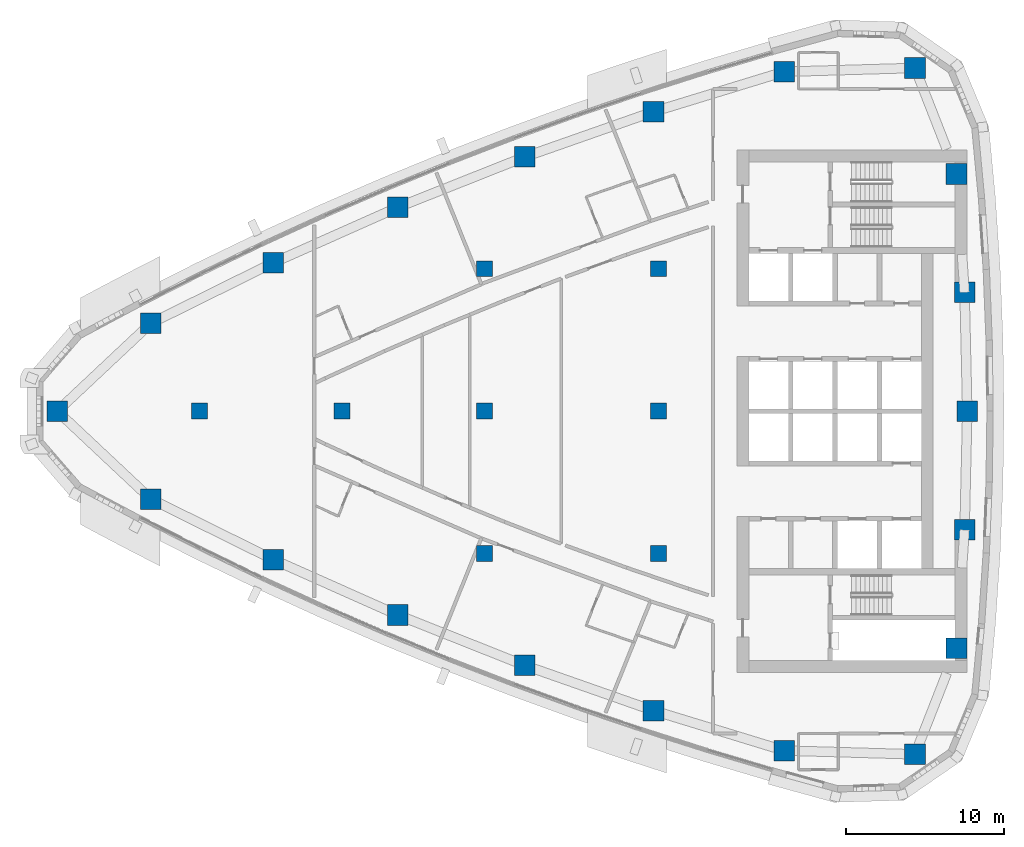
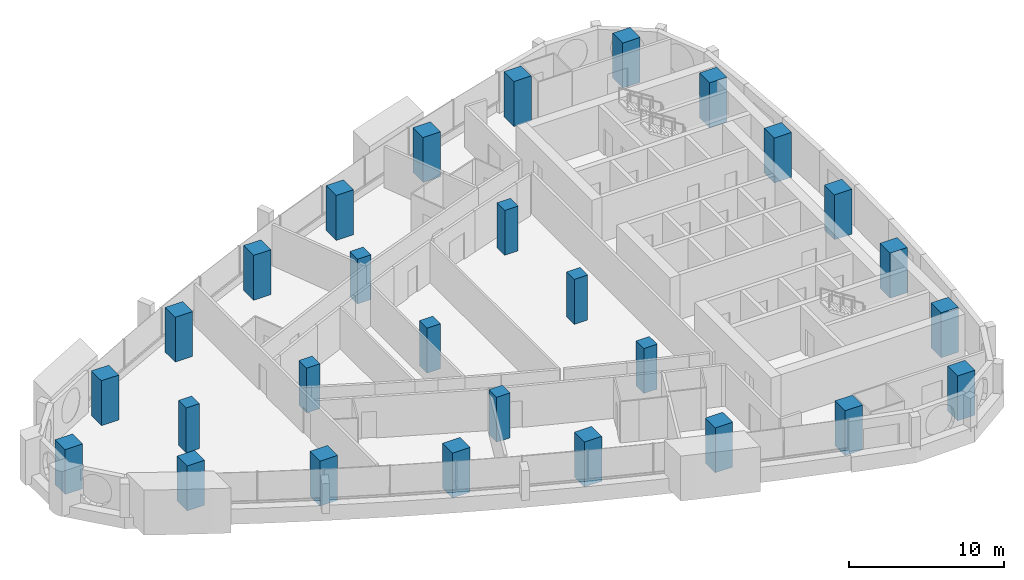
# One storey, part 1 of 17: 28 columns.
"""IFC4 building model written with IfcOpenShell, lengths in metres."""

from ifc_helpers import new_model, si_unit, direction, frame, origin, origin_2d, place, context, subcontext, project, spatial, rectangle, extrude, material, material_profile, profile_set, type_object, element, save


model = new_model("IFC4")

# Units and contexts
model_context = context("Model", 3, precision=1e-05, world=origin(), true_north=direction((0.0, 1.0)))
body_context = subcontext(model_context, "Body", "Model", "MODEL_VIEW")
ifc_project = project(units=[si_unit("LENGTHUNIT", "METRE"), si_unit("AREAUNIT", "SQUARE_METRE"), si_unit("VOLUMEUNIT", "CUBIC_METRE"), si_unit("PLANEANGLEUNIT", "RADIAN"), si_unit("MASSUNIT", "GRAM", prefix="KILO")], contexts=[model_context])

# Site, building, storey
site_placement = place(None, origin())
site = spatial("IfcSite", under=ifc_project, at=site_placement, CompositionType="ELEMENT")
building_placement = place(site_placement, origin())
building = spatial("IfcBuilding", under=site, at=building_placement, Name="Ostrand Prow Hotel Tower", CompositionType="ELEMENT")
storey_placement = place(building_placement, frame((0.0, 0.0, 182.60009765625)))
storey = spatial("IfcBuildingStorey", under=building, at=storey_placement, Name="L45", CompositionType="ELEMENT", Elevation=182.60009765625)

# Columns
ifc_material_1 = material(Name="Concrete C60/75", Category="concrete")
ifc_material_profile_1 = material_profile(ifc_material_1, rectangle(XDim=1.0, YDim=1.0, at=origin_2d()), Name="RC 1000x1000")
ifc_profile_set_1 = profile_set([ifc_material_profile_1], Name="Concrete C60/75")
column_type_1 = type_object("IfcColumnType", Name="Interior column 1000x1000 C60/75", PredefinedType="COLUMN", material=ifc_profile_set_1)
for number, where, z_axis, x_axis, name in (
    (1, (16.0, 0.0, 0.0), (0.0, 0.0, 1.0), (1.0, 0.0, 0.0), "Interior column 16C0"),
    (2, (25.0, 0.0, 0.0), (0.0, 0.0, 1.0), (1.0, 0.0, 0.0), "Interior column 25C0"),
    (3, (34.0, -9.0, 0.0), (0.0, 0.0, 1.0), (1.0, 0.0, 0.0), "Interior column 34S9"),
    (4, (34.0, 0.0, 0.0), (0.0, 0.0, 1.0), (1.0, 0.0, 0.0), "Interior column 34C0"),
    (5, (34.0, 9.0, 0.0), (0.0, 0.0, 1.0), (1.0, 0.0, 0.0), "Interior column 34N9"),
    (6, (45.0, -9.0, 0.0), (0.0, 0.0, 1.0), (1.0, 0.0, 0.0), "Interior column 45S9"),
    (7, (45.0, 0.0, 0.0), (0.0, 0.0, 1.0), (1.0, 0.0, 0.0), "Interior column 45C0"),
    (8, (45.0, 9.0, 0.0), (0.0, 0.0, 1.0), (1.0, 0.0, 0.0), "Interior column 45N9"),
):
    element("IfcColumn", number, at=place(storey_placement, frame(where, z_axis=z_axis, x_axis=x_axis)), inside=storey, type_object=column_type_1, Name=name, PredefinedType="COLUMN", context=body_context, shape_type="SweptSolid", body=[
        extrude(rectangle(XDim=1.0, YDim=1.0, at=origin_2d()), origin(), (0.0, 0.0, 1.0), 3.5498046875),
    ])
ifc_material_2 = material(Name="Concrete C60/75", Category="concrete")
ifc_material_profile_2 = material_profile(ifc_material_2, rectangle(XDim=1.300048828125, YDim=1.300048828125, at=origin_2d()), Name="RC 1300x1300")
ifc_profile_set_2 = profile_set([ifc_material_profile_2], Name="Concrete C60/75")
column_type_2 = type_object("IfcColumnType", Name="Stone-faced mega column 1300x1300 C60/75", PredefinedType="COLUMN", material=ifc_profile_set_2)
for number, where, z_axis, x_axis, name in (
    (9, (7.01708984375, 0.0, 0.0), (0.0, 0.0, 1.0), (1.0, 0.0, 0.0), "Mega column P"),
    (10, (12.9287109375, -5.551513671875, 0.0), (0.0, 0.0, 1.0), (1.0, 0.0, 0.0), "Mega column S1"),
    (11, (20.656982421875, -9.373291015625, 0.0), (0.0, 0.0, 1.0), (1.0, 0.0, 0.0), "Mega column S2"),
    (12, (28.5341796875, -12.878173828125, 0.0), (0.0, 0.0, 1.0), (1.0, 0.0, 0.0), "Mega column S3"),
    (13, (36.547119140625, -16.060791015625, 0.0), (0.0, 0.0, 1.0), (1.0, 0.0, 0.0), "Mega column S4"),
    (14, (44.6826171875, -18.91552734375, 0.0), (0.0, 0.0, 1.0), (1.0, 0.0, 0.0), "Mega column S5"),
    (15, (52.92724609375, -21.43798828125, 0.0), (0.0, 0.0, 1.0), (1.0, 0.0, 0.0), "Mega column S6"),
    (16, (61.198486328125, -21.678955078125, 0.0), (0.0, 0.0, 1.0), (1.0, 0.0, 0.0), "Mega column SE"),
    (17, (63.822021484375, -14.983154296875, 0.0), (0.0, 0.0, 1.0), (1.0, 0.0, 0.0), "Mega column B1"),
    (18, (64.330322265625, -7.499267578125, 0.0), (0.0, 0.0, 1.0), (1.0, 0.0, 0.0), "Mega column B2"),
    (19, (64.5, 0.0, 0.0), (0.0, 0.0, 1.0), (1.0, 0.0, 0.0), "Mega column B3"),
    (20, (64.330322265625, 7.499267578125, 0.0), (0.0, 0.0, 1.0), (1.0, 0.0, 0.0), "Mega column B4"),
    (21, (63.822021484375, 14.983154296875, 0.0), (0.0, 0.0, 1.0), (1.0, 0.0, 0.0), "Mega column B5"),
    (22, (61.198486328125, 21.678955078125, 0.0), (0.0, 0.0, 1.0), (1.0, 0.0, 0.0), "Mega column NE"),
    (23, (52.92724609375, 21.43798828125, 0.0), (0.0, 0.0, 1.0), (1.0, 0.0, 0.0), "Mega column N1"),
    (24, (44.6826171875, 18.91552734375, 0.0), (0.0, 0.0, 1.0), (1.0, 0.0, 0.0), "Mega column N2"),
    (25, (36.547119140625, 16.060791015625, 0.0), (0.0, 0.0, 1.0), (1.0, 0.0, 0.0), "Mega column N3"),
    (26, (28.5341796875, 12.878173828125, 0.0), (0.0, 0.0, 1.0), (1.0, 0.0, 0.0), "Mega column N4"),
    (27, (20.656982421875, 9.373291015625, 0.0), (0.0, 0.0, 1.0), (1.0, 0.0, 0.0), "Mega column N5"),
    (28, (12.9287109375, 5.551513671875, 0.0), (0.0, 0.0, 1.0), (1.0, 0.0, 0.0), "Mega column N6"),
):
    element("IfcColumn", number, at=place(storey_placement, frame(where, z_axis=z_axis, x_axis=x_axis)), inside=storey, type_object=column_type_2, Name=name, PredefinedType="COLUMN", context=body_context, shape_type="SweptSolid", body=[
        extrude(rectangle(XDim=1.300048828125, YDim=1.300048828125, at=origin_2d()), origin(), (0.0, 0.0, 1.0), 3.5498046875),
    ])

save(model, "model.ifc")
